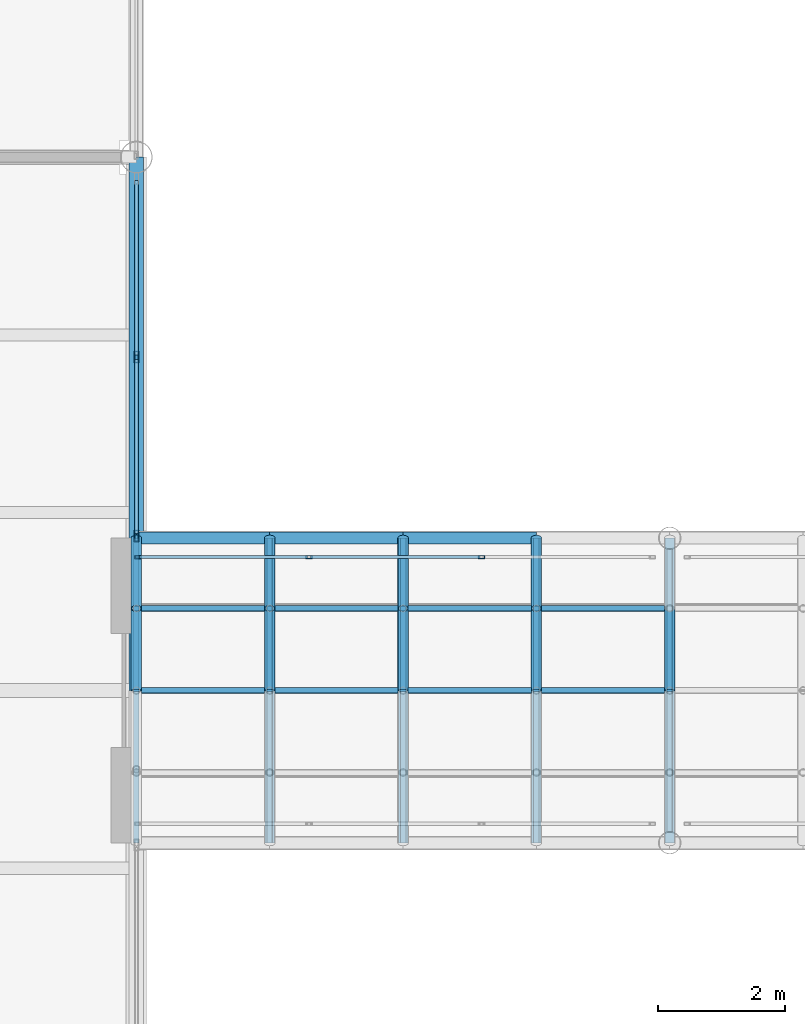
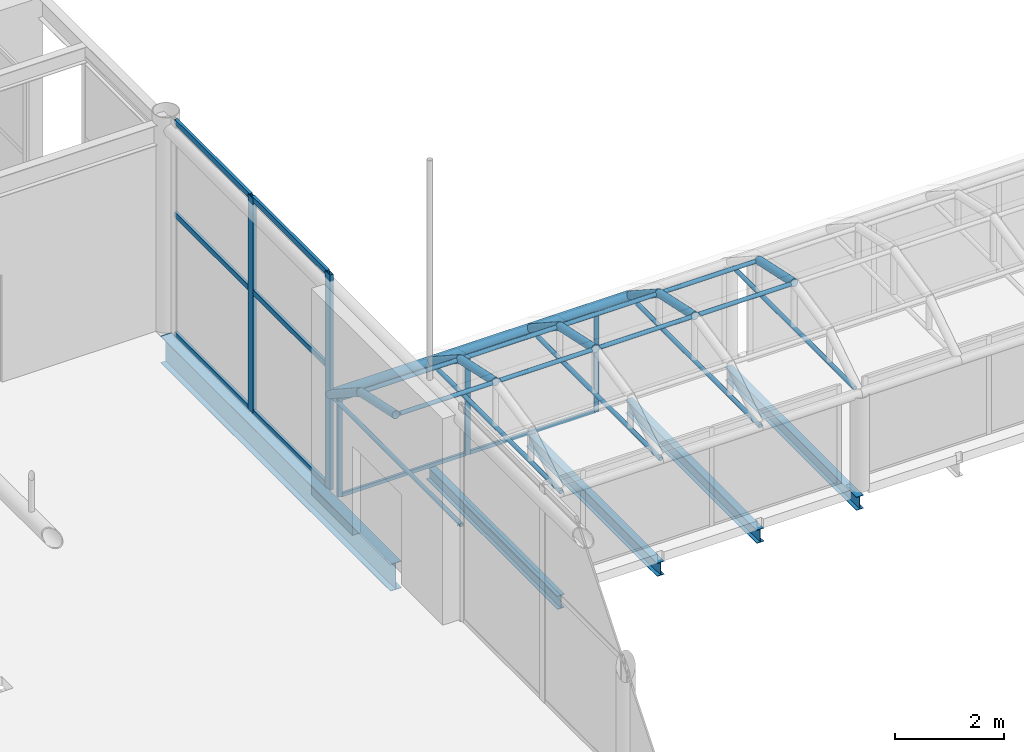
# One storey, part 94 of 167: 35 members, 10 beams, 2 elements without a shape of their own.
"""IFC4 building model written with IfcOpenShell, lengths in metres."""

from ifc_helpers import new_model, si_unit, direction, frame, origin, origin_2d, place, context, subcontext, project, spatial, hollow_rectangle, hollow_circle, i_section, extrude, material, material_profile, profile_set, type_object, element, aggregate, save


model = new_model("IFC4")

# Units and contexts
model_context = context("Model", 3, precision=1e-05, world=origin(), true_north=direction((0.0, 1.0)))
body_context = subcontext(model_context, "Body", "Model", "MODEL_VIEW")
ifc_project = project(units=[si_unit("LENGTHUNIT", "METRE"), si_unit("AREAUNIT", "SQUARE_METRE"), si_unit("VOLUMEUNIT", "CUBIC_METRE"), si_unit("PLANEANGLEUNIT", "RADIAN"), si_unit("MASSUNIT", "GRAM", prefix="KILO")], contexts=[model_context])

# Site, building, storey
site_placement = place(None, origin())
site = spatial("IfcSite", under=ifc_project, at=site_placement, CompositionType="ELEMENT")
building_placement = place(site_placement, origin())
building = spatial("IfcBuilding", under=site, at=building_placement, Name="Catenary Quay Ferry Terminal", CompositionType="ELEMENT")
storey_placement = place(building_placement, frame((0.0, 0.0, 6.0)))
storey = spatial("IfcBuildingStorey", under=building, at=storey_placement, Name="L01", CompositionType="ELEMENT", Elevation=6.0)

# Beams
ifc_material_1 = material(Name="Steel S355", Category="steel")
ifc_material_profile_1 = material_profile(ifc_material_1, i_section(OverallWidth=0.14990234375, OverallDepth=0.300048828125, WebThickness=0.007080078125, FlangeThickness=0.0107421875, at=origin_2d()), Name="IPE 300")
ifc_profile_set_1 = profile_set([ifc_material_profile_1], Name="Steel S355")
beam_type_1 = type_object("IfcBeamType", Name="B2 IPE 300", PredefinedType="BEAM", material=ifc_profile_set_1)
for number, where, z_axis, x_axis, name in (
    (1, (94.5, 90.0, -0.35009765625), (0.0, 1.0, 0.0), (-1.0, 0.0, 0.0), "Beam B2-016"),
    (2, (96.60009765625, 90.0, -0.35009765625), (0.0, 1.0, 0.0), (-1.0, 0.0, 0.0), "Beam B2-017"),
    (3, (98.699951171875, 90.0, -0.35009765625), (0.0, 1.0, 0.0), (-1.0, 0.0, 0.0), "Beam B2-018"),
    (4, (100.800048828125, 90.0, -0.35009765625), (0.0, 1.0, 0.0), (-1.0, 0.0, 0.0), "Beam B2-019"),
):
    element("IfcBeam", number, at=place(storey_placement, frame(where, z_axis=z_axis, x_axis=x_axis)), inside=storey, type_object=beam_type_1, Name=name, PredefinedType="BEAM", context=body_context, shape_type="SweptSolid", body=[
        extrude(i_section(OverallWidth=0.14990234375, OverallDepth=0.300048828125, WebThickness=0.007080078125, FlangeThickness=0.0107421875, at=origin_2d()), origin(), (0.0, 0.0, 1.0), 4.800048828125),
    ])
ifc_material_2 = material(Name="Steel S355", Category="steel")
ifc_material_profile_2 = material_profile(ifc_material_2, i_section(OverallWidth=0.2275390625, OverallDepth=0.6025390625, WebThickness=0.010498046875, FlangeThickness=0.014892578125, at=origin_2d()), Name="UB 610x229x101")
ifc_profile_set_2 = profile_set([ifc_material_profile_2], Name="Steel S355")
beam_type_2 = type_object("IfcBeamType", Name="B3 UB 610x229x101", PredefinedType="BEAM", material=ifc_profile_set_2)
beam_1_placement = place(storey_placement, frame((92.39990234375, 92.39990234375, -0.5009765625), z_axis=(0.0, 1.0, 0.0), x_axis=(-1.0, 0.0, 0.0)))
element("IfcBeam", 5, at=beam_1_placement, inside=storey, type_object=beam_type_2, Name="Beam B3-048", PredefinedType="BEAM", context=body_context, shape_type="SweptSolid", body=[
    extrude(i_section(OverallWidth=0.2275390625, OverallDepth=0.6025390625, WebThickness=0.010498046875, FlangeThickness=0.014892578125, at=origin_2d()), origin(), (0.0, 0.0, 1.0), 8.400146484375),
])

# Curtain wall, members
ifc_material_3 = material(Name="Aluminium and glass", Category="aluminium")
curtain_wall_type_1 = type_object("IfcCurtainWallType", Name="CWB", PredefinedType="NOTDEFINED", material=ifc_material_3)
curtain_wall_1_placement = place(storey_placement, origin())
curtain_wall_1 = element("IfcCurtainWall", 6, at=curtain_wall_1_placement, inside=storey, type_object=curtain_wall_type_1, Name="BB2 curtain wall CW68", PredefinedType="NOTDEFINED")
ifc_material_4 = material(Name="Aluminium", Category="aluminium")
ifc_material_profile_3 = material_profile(ifc_material_4, hollow_rectangle(XDim=0.050048828125, YDim=0.10009765625, WallThickness=0.0048828125, at=origin_2d()), Name="MU1")
ifc_profile_set_3 = profile_set([ifc_material_profile_3], Name="Aluminium")
member_type_1 = type_object("IfcMemberType", Name="MU1", PredefinedType="MULLION", material=ifc_profile_set_3)
member_1_placement = place(storey_placement, frame((92.425048828125, 94.5, 0.0), z_axis=(0.0, 0.0, 1.0), x_axis=(0.0, 1.0, 0.0)))
member_1 = element("IfcMember", 7, at=member_1_placement, type_object=member_type_1, Name="CW68 mullion 1", PredefinedType="MULLION", context=body_context, shape_type="SweptSolid", body=[
    extrude(hollow_rectangle(XDim=0.050048828125, YDim=0.10009765625, WallThickness=0.0048828125, at=origin_2d()), origin(), (0.0, 0.0, 1.0), 2.195068359375),
])
member_2_placement = place(storey_placement, frame((95.11669921875, 94.5, 0.0), z_axis=(0.0, 0.0, 1.0), x_axis=(0.0, 1.0, 0.0)))
member_2 = element("IfcMember", 8, at=member_2_placement, type_object=member_type_1, Name="CW68 mullion 2", PredefinedType="MULLION", context=body_context, shape_type="SweptSolid", body=[
    extrude(hollow_rectangle(XDim=0.050048828125, YDim=0.10009765625, WallThickness=0.0048828125, at=origin_2d()), origin(), (0.0, 0.0, 1.0), 2.195068359375),
])
member_3_placement = place(storey_placement, frame((97.833251953125, 94.5, 0.0), z_axis=(0.0, 0.0, 1.0), x_axis=(0.0, 1.0, 0.0)))
member_3 = element("IfcMember", 9, at=member_3_placement, type_object=member_type_1, Name="CW68 mullion 3", PredefinedType="MULLION", context=body_context, shape_type="SweptSolid", body=[
    extrude(hollow_rectangle(XDim=0.050048828125, YDim=0.10009765625, WallThickness=0.0048828125, at=origin_2d()), origin(), (0.0, 0.0, 1.0), 2.195068359375),
])

ifc_material_5 = material(Name="Aluminium and glass", Category="aluminium")
curtain_wall_type_2 = type_object("IfcCurtainWallType", Name="CWM", PredefinedType="NOTDEFINED", material=ifc_material_5)
curtain_wall_2_placement = place(storey_placement, origin())
curtain_wall_2 = element("IfcCurtainWall", 10, at=curtain_wall_2_placement, inside=storey, type_object=curtain_wall_type_2, Name="Gable arrivals hall curtain wall CW11", PredefinedType="NOTDEFINED")
ifc_material_6 = material(Name="Aluminium", Category="aluminium")
ifc_material_profile_4 = material_profile(ifc_material_6, hollow_rectangle(XDim=0.070068359375, YDim=0.179931640625, WallThickness=0.006103515625, at=origin_2d()), Name="MU3")
ifc_profile_set_4 = profile_set([ifc_material_profile_4], Name="Aluminium")
member_type_2 = type_object("IfcMemberType", Name="MU3", PredefinedType="MULLION", material=ifc_profile_set_4)
member_4_placement = place(storey_placement, frame((92.39990234375, 94.8349609375, 0.0), z_axis=(0.0, 0.0, 1.0), x_axis=(-1.0, 0.0, 0.0)))
member_4 = element("IfcMember", 11, at=member_4_placement, type_object=member_type_2, Name="CW11 mullion 1", PredefinedType="MULLION", context=body_context, shape_type="SweptSolid", body=[
    extrude(hollow_rectangle(XDim=0.070068359375, YDim=0.179931640625, WallThickness=0.006103515625, at=origin_2d()), origin(), (0.0, 0.0, 1.0), 4.800048828125),
])
member_5_placement = place(storey_placement, frame((92.39990234375, 97.64990234375, 0.0), z_axis=(0.0, 0.0, 1.0), x_axis=(-1.0, 0.0, 0.0)))
member_5 = element("IfcMember", 12, at=member_5_placement, type_object=member_type_2, Name="CW11 mullion 2", PredefinedType="MULLION", context=body_context, shape_type="SweptSolid", body=[
    extrude(hollow_rectangle(XDim=0.070068359375, YDim=0.179931640625, WallThickness=0.006103515625, at=origin_2d()), origin(), (0.0, 0.0, 1.0), 4.800048828125),
])

# Members
ifc_material_7 = material(Name="Steel S355", Category="steel")
ifc_material_profile_5 = material_profile(ifc_material_7, hollow_circle(Radius=0.04443359375, WallThickness=0.0048828125, at=origin_2d()), Name="CHS 88.9x5")
ifc_profile_set_5 = profile_set([ifc_material_profile_5], Name="Steel S355")
member_type_3 = type_object("IfcMemberType", Name="PU3 CHS 88.9x5", PredefinedType="PURLIN", material=ifc_profile_set_5)
for number, where, z_axis, x_axis, name in (
    (13, (92.47998046875, 92.39990234375, 3.10009765625), (1.0, 0.0, 0.0), (0.0, 1.0, 0.0), "Purlin PU-RB2-01-02"),
    (14, (92.47998046875, 93.69189453125, 2.821044921875), (1.0, 0.0, 0.0), (0.0, 1.0, 0.0), "Purlin PU-RB2-01-03"),
    (15, (94.580078125, 92.39990234375, 3.10009765625), (1.0, 0.0, 0.0), (0.0, 1.0, 0.0), "Purlin PU-RB2-02-02"),
    (16, (94.580078125, 93.69189453125, 2.821044921875), (1.0, 0.0, 0.0), (0.0, 1.0, 0.0), "Purlin PU-RB2-02-03"),
):
    element("IfcMember", number, at=place(storey_placement, frame(where, z_axis=z_axis, x_axis=x_axis)), inside=storey, type_object=member_type_3, Name=name, PredefinedType="PURLIN", context=body_context, shape_type="SweptSolid", body=[
        extrude(hollow_circle(Radius=0.04443359375, WallThickness=0.0048828125, at=origin_2d()), origin(), (0.0, 0.0, 1.0), 1.93994140625),
    ])
for number, where, z_axis, x_axis, name in (
    (17, (96.679931640625, 92.39990234375, 3.10009765625), (1.0, 0.0, 0.0), (0.0, 1.0, 0.0), "Purlin PU-RB2-03-02"),
    (18, (96.679931640625, 93.69189453125, 2.821044921875), (1.0, 0.0, 0.0), (0.0, 1.0, 0.0), "Purlin PU-RB2-03-03"),
):
    element("IfcMember", number, at=place(storey_placement, frame(where, z_axis=z_axis, x_axis=x_axis)), inside=storey, type_object=member_type_3, Name=name, PredefinedType="PURLIN", context=body_context, shape_type="SweptSolid", body=[
        extrude(hollow_circle(Radius=0.04443359375, WallThickness=0.0048828125, at=origin_2d()), origin(), (0.0, 0.0, 1.0), 1.940185546875),
    ])
for number, where, z_axis, x_axis, name in (
    (19, (98.780029296875, 92.39990234375, 3.10009765625), (1.0, 0.0, 0.0), (0.0, 1.0, 0.0), "Purlin PU-RB2-04-02"),
    (20, (98.780029296875, 93.69189453125, 2.821044921875), (1.0, 0.0, 0.0), (0.0, 1.0, 0.0), "Purlin PU-RB2-04-03"),
):
    element("IfcMember", number, at=place(storey_placement, frame(where, z_axis=z_axis, x_axis=x_axis)), inside=storey, type_object=member_type_3, Name=name, PredefinedType="PURLIN", context=body_context, shape_type="SweptSolid", body=[
        extrude(hollow_circle(Radius=0.04443359375, WallThickness=0.0048828125, at=origin_2d()), origin(), (0.0, 0.0, 1.0), 1.93994140625),
    ])

# Beams
ifc_material_8 = material(Name="Steel S355", Category="steel")
ifc_material_profile_6 = material_profile(ifc_material_8, hollow_circle(Radius=0.04443359375, WallThickness=0.0048828125, at=origin_2d()), Name="CHS 88.9x5")
ifc_profile_set_6 = profile_set([ifc_material_profile_6], Name="Steel S355")
beam_type_3 = type_object("IfcBeamType", Name="TB4 CHS 88.9x5", PredefinedType="BEAM", material=ifc_profile_set_6)
for number, where, z_axis, x_axis, name in (
    (21, (92.39990234375, 90.0, 2.10009765625), (0.0, 1.0, 0.0), (-1.0, 0.0, 0.0), "tie beam RB2-01"),
    (22, (94.5, 90.0, 2.10009765625), (0.0, 1.0, 0.0), (-1.0, 0.0, 0.0), "tie beam RB2-02"),
    (23, (96.60009765625, 90.0, 2.10009765625), (0.0, 1.0, 0.0), (-1.0, 0.0, 0.0), "tie beam RB2-03"),
    (24, (98.699951171875, 90.0, 2.10009765625), (0.0, 1.0, 0.0), (-1.0, 0.0, 0.0), "tie beam RB2-04"),
):
    element("IfcBeam", number, at=place(storey_placement, frame(where, z_axis=z_axis, x_axis=x_axis)), inside=storey, type_object=beam_type_3, Name=name, PredefinedType="BEAM", context=body_context, shape_type="SweptSolid", body=[
        extrude(hollow_circle(Radius=0.04443359375, WallThickness=0.0048828125, at=origin_2d()), origin(), (0.0, 0.0, 1.0), 4.800048828125),
    ])
beam_2_placement = place(storey_placement, frame((100.800048828125, 90.172119140625, 2.10009765625), z_axis=(0.0, 1.0, 0.0), x_axis=(-1.0, 0.0, 0.0)))
element("IfcBeam", 25, at=beam_2_placement, inside=storey, type_object=beam_type_3, Name="tie beam RB2-05", PredefinedType="BEAM", context=body_context, shape_type="SweptSolid", body=[
    extrude(hollow_circle(Radius=0.04443359375, WallThickness=0.0048828125, at=origin_2d()), origin(), (0.0, 0.0, 1.0), 4.455810546875),
])

# Members
ifc_material_9 = material(Name="Steel S355", Category="steel")
ifc_material_profile_7 = material_profile(ifc_material_9, hollow_circle(Radius=0.096923828125, WallThickness=0.010009765625, at=origin_2d()), Name="CHS 193.7x10")
ifc_profile_set_7 = profile_set([ifc_material_profile_7], Name="Steel S355")
member_type_4 = type_object("IfcMemberType", Name="TC2 CHS 193.7x10", PredefinedType="CHORD", material=ifc_profile_set_7)
for number, where, z_axis, x_axis, name in (
    (26, (92.39990234375, 94.800048828125, 2.10009765625), (1.0, 0.0, 0.0), (0.0, 1.0, 0.0), "Bridge top chord BB2N-TC01"),
    (27, (94.5, 94.800048828125, 2.10009765625), (1.0, 0.0, 0.0), (0.0, 1.0, 0.0), "Bridge top chord BB2N-TC02"),
):
    element("IfcMember", number, at=place(storey_placement, frame(where, z_axis=z_axis, x_axis=x_axis)), inside=storey, type_object=member_type_4, Name=name, PredefinedType="CHORD", context=body_context, shape_type="SweptSolid", body=[
        extrude(hollow_circle(Radius=0.096923828125, WallThickness=0.010009765625, at=origin_2d()), origin(), (0.0, 0.0, 1.0), 2.10009765625),
    ])
member_6_placement = place(storey_placement, frame((96.60009765625, 94.800048828125, 2.10009765625), z_axis=(1.0, 0.0, 0.0), x_axis=(0.0, 1.0, 0.0)))
element("IfcMember", 28, at=member_6_placement, inside=storey, type_object=member_type_4, Name="Bridge top chord BB2N-TC03", PredefinedType="CHORD", context=body_context, shape_type="SweptSolid", body=[
    extrude(hollow_circle(Radius=0.096923828125, WallThickness=0.010009765625, at=origin_2d()), origin(), (0.0, 0.0, 1.0), 2.099853515625),
])

# Member
ifc_material_10 = material(Name="Aluminium", Category="aluminium")
ifc_material_profile_8 = material_profile(ifc_material_10, hollow_rectangle(XDim=0.050048828125, YDim=0.080078125, WallThickness=0.00390625, at=origin_2d()), Name="TR1")
ifc_profile_set_8 = profile_set([ifc_material_profile_8], Name="Aluminium")
member_type_5 = type_object("IfcMemberType", Name="TR1", PredefinedType="USERDEFINED", material=ifc_profile_set_8)
member_7_placement = place(storey_placement, frame((92.449951171875, 94.5, 0.02490234375), z_axis=(1.0, 0.0, 0.0), x_axis=(0.0, 1.0, 0.0)))
member_7 = element("IfcMember", 29, at=member_7_placement, type_object=member_type_5, Name="CW68 transom 1.1", ObjectType="TRANSOM", PredefinedType="USERDEFINED", context=body_context, shape_type="SweptSolid", body=[
    extrude(hollow_rectangle(XDim=0.050048828125, YDim=0.080078125, WallThickness=0.00390625, at=origin_2d()), origin(), (0.0, 0.0, 1.0), 2.6416015625),
])

member_8_placement = place(storey_placement, frame((92.449951171875, 94.5, 2.169921875), z_axis=(1.0, 0.0, 0.0), x_axis=(0.0, 1.0, 0.0)))
member_8 = element("IfcMember", 30, at=member_8_placement, type_object=member_type_5, Name="CW68 transom 1.2", ObjectType="TRANSOM", PredefinedType="USERDEFINED", context=body_context, shape_type="SweptSolid", body=[
    extrude(hollow_rectangle(XDim=0.050048828125, YDim=0.080078125, WallThickness=0.00390625, at=origin_2d()), origin(), (0.0, 0.0, 1.0), 2.6416015625),
])

member_9_placement = place(storey_placement, frame((95.1416015625, 94.5, 0.02490234375), z_axis=(1.0, 0.0, 0.0), x_axis=(0.0, 1.0, 0.0)))
member_9 = element("IfcMember", 31, at=member_9_placement, type_object=member_type_5, Name="CW68 transom 2.1", ObjectType="TRANSOM", PredefinedType="USERDEFINED", context=body_context, shape_type="SweptSolid", body=[
    extrude(hollow_rectangle(XDim=0.050048828125, YDim=0.080078125, WallThickness=0.00390625, at=origin_2d()), origin(), (0.0, 0.0, 1.0), 2.666748046875),
])

member_10_placement = place(storey_placement, frame((95.1416015625, 94.5, 2.169921875), z_axis=(1.0, 0.0, 0.0), x_axis=(0.0, 1.0, 0.0)))
member_10 = element("IfcMember", 32, at=member_10_placement, type_object=member_type_5, Name="CW68 transom 2.2", ObjectType="TRANSOM", PredefinedType="USERDEFINED", context=body_context, shape_type="SweptSolid", body=[
    extrude(hollow_rectangle(XDim=0.050048828125, YDim=0.080078125, WallThickness=0.00390625, at=origin_2d()), origin(), (0.0, 0.0, 1.0), 2.666748046875),
])

aggregate(curtain_wall_1, [member_1, member_2, member_3, member_7, member_8, member_9, member_10])

ifc_material_11 = material(Name="Aluminium", Category="aluminium")
ifc_material_profile_9 = material_profile(ifc_material_11, hollow_rectangle(XDim=0.06005859375, YDim=0.1201171875, WallThickness=0.0048828125, at=origin_2d()), Name="TR3")
ifc_profile_set_9 = profile_set([ifc_material_profile_9], Name="Aluminium")
member_type_6 = type_object("IfcMemberType", Name="TR3", PredefinedType="USERDEFINED", material=ifc_profile_set_9)
member_11_placement = place(storey_placement, frame((92.39990234375, 94.8701171875, 0.030029296875), z_axis=(0.0, 1.0, 0.0), x_axis=(-1.0, 0.0, 0.0)))
member_11 = element("IfcMember", 33, at=member_11_placement, type_object=member_type_6, Name="CW11 transom 1.1", ObjectType="TRANSOM", PredefinedType="USERDEFINED", context=body_context, shape_type="SweptSolid", body=[
    extrude(hollow_rectangle(XDim=0.06005859375, YDim=0.1201171875, WallThickness=0.0048828125, at=origin_2d()), origin(), (0.0, 0.0, 1.0), 2.744873046875),
])

member_12_placement = place(storey_placement, frame((92.39990234375, 94.8701171875, 2.699951171875), z_axis=(0.0, 1.0, 0.0), x_axis=(-1.0, 0.0, 0.0)))
member_12 = element("IfcMember", 34, at=member_12_placement, type_object=member_type_6, Name="CW11 transom 1.2", ObjectType="TRANSOM", PredefinedType="USERDEFINED", context=body_context, shape_type="SweptSolid", body=[
    extrude(hollow_rectangle(XDim=0.06005859375, YDim=0.1201171875, WallThickness=0.0048828125, at=origin_2d()), origin(), (0.0, 0.0, 1.0), 2.744873046875),
])

member_13_placement = place(storey_placement, frame((92.39990234375, 94.8701171875, 4.77001953125), z_axis=(0.0, 1.0, 0.0), x_axis=(-1.0, 0.0, 0.0)))
member_13 = element("IfcMember", 35, at=member_13_placement, type_object=member_type_6, Name="CW11 transom 1.3", ObjectType="TRANSOM", PredefinedType="USERDEFINED", context=body_context, shape_type="SweptSolid", body=[
    extrude(hollow_rectangle(XDim=0.06005859375, YDim=0.1201171875, WallThickness=0.0048828125, at=origin_2d()), origin(), (0.0, 0.0, 1.0), 2.744873046875),
])

member_14_placement = place(storey_placement, frame((92.39990234375, 97.68505859375, 0.030029296875), z_axis=(0.0, 1.0, 0.0), x_axis=(-1.0, 0.0, 0.0)))
member_14 = element("IfcMember", 36, at=member_14_placement, type_object=member_type_6, Name="CW11 transom 2.1", ObjectType="TRANSOM", PredefinedType="USERDEFINED", context=body_context, shape_type="SweptSolid", body=[
    extrude(hollow_rectangle(XDim=0.06005859375, YDim=0.1201171875, WallThickness=0.0048828125, at=origin_2d()), origin(), (0.0, 0.0, 1.0), 2.744873046875),
])

member_15_placement = place(storey_placement, frame((92.39990234375, 97.68505859375, 2.699951171875), z_axis=(0.0, 1.0, 0.0), x_axis=(-1.0, 0.0, 0.0)))
member_15 = element("IfcMember", 37, at=member_15_placement, type_object=member_type_6, Name="CW11 transom 2.2", ObjectType="TRANSOM", PredefinedType="USERDEFINED", context=body_context, shape_type="SweptSolid", body=[
    extrude(hollow_rectangle(XDim=0.06005859375, YDim=0.1201171875, WallThickness=0.0048828125, at=origin_2d()), origin(), (0.0, 0.0, 1.0), 2.744873046875),
])

member_16_placement = place(storey_placement, frame((92.39990234375, 97.68505859375, 4.77001953125), z_axis=(0.0, 1.0, 0.0), x_axis=(-1.0, 0.0, 0.0)))
member_16 = element("IfcMember", 38, at=member_16_placement, type_object=member_type_6, Name="CW11 transom 2.3", ObjectType="TRANSOM", PredefinedType="USERDEFINED", context=body_context, shape_type="SweptSolid", body=[
    extrude(hollow_rectangle(XDim=0.06005859375, YDim=0.1201171875, WallThickness=0.0048828125, at=origin_2d()), origin(), (0.0, 0.0, 1.0), 2.744873046875),
])

aggregate(curtain_wall_2, [member_4, member_5, member_11, member_12, member_13, member_14, member_15, member_16])

# Members
ifc_material_12 = material(Name="Steel S355", Category="steel")
ifc_material_profile_10 = material_profile(ifc_material_12, hollow_circle(Radius=0.084228515625, WallThickness=0.008056640625, at=origin_2d()), Name="CHS 168.3x8")
ifc_profile_set_10 = profile_set([ifc_material_profile_10], Name="Steel S355")
member_type_7 = type_object("IfcMemberType", Name="VR4 CHS 168.3x8", PredefinedType="RAFTER", material=ifc_profile_set_10)
member_17_placement = place(storey_placement, frame((92.39990234375, 92.39990234375, 3.10009765625), z_axis=(0.0, 0.977460543774, -0.211118178672), x_axis=(-1.0, 0.0, 0.0)))
element("IfcMember", 39, at=member_17_placement, inside=storey, type_object=member_type_7, Name="rib RB2-01-03", PredefinedType="RAFTER", context=body_context, shape_type="SweptSolid", body=[
    extrude(hollow_circle(Radius=0.084228515625, WallThickness=0.008056640625, at=origin_2d()), origin(), (0.0, 0.0, 1.0), 1.32177734375),
])
member_18_placement = place(storey_placement, frame((92.39990234375, 93.69189453125, 2.821044921875), z_axis=(0.0, 0.838219928753, -0.545332330823), x_axis=(-1.0, 0.0, 0.0)))
element("IfcMember", 40, at=member_18_placement, inside=storey, type_object=member_type_7, Name="rib RB2-01-04", PredefinedType="RAFTER", context=body_context, shape_type="SweptSolid", body=[
    extrude(hollow_circle(Radius=0.084228515625, WallThickness=0.008056640625, at=origin_2d()), origin(), (0.0, 0.0, 1.0), 1.322021484375),
])
member_19_placement = place(storey_placement, frame((94.5, 92.39990234375, 3.10009765625), z_axis=(0.0, 0.977460543774, -0.211118178672), x_axis=(-1.0, 0.0, 0.0)))
element("IfcMember", 41, at=member_19_placement, inside=storey, type_object=member_type_7, Name="rib RB2-02-03", PredefinedType="RAFTER", context=body_context, shape_type="SweptSolid", body=[
    extrude(hollow_circle(Radius=0.084228515625, WallThickness=0.008056640625, at=origin_2d()), origin(), (0.0, 0.0, 1.0), 1.32177734375),
])
member_20_placement = place(storey_placement, frame((94.5, 93.69189453125, 2.821044921875), z_axis=(0.0, 0.838219928753, -0.545332330823), x_axis=(-1.0, 0.0, 0.0)))
element("IfcMember", 42, at=member_20_placement, inside=storey, type_object=member_type_7, Name="rib RB2-02-04", PredefinedType="RAFTER", context=body_context, shape_type="SweptSolid", body=[
    extrude(hollow_circle(Radius=0.084228515625, WallThickness=0.008056640625, at=origin_2d()), origin(), (0.0, 0.0, 1.0), 1.322021484375),
])
member_21_placement = place(storey_placement, frame((96.60009765625, 92.39990234375, 3.10009765625), z_axis=(0.0, 0.977460543774, -0.211118178672), x_axis=(-1.0, 0.0, 0.0)))
element("IfcMember", 43, at=member_21_placement, inside=storey, type_object=member_type_7, Name="rib RB2-03-03", PredefinedType="RAFTER", context=body_context, shape_type="SweptSolid", body=[
    extrude(hollow_circle(Radius=0.084228515625, WallThickness=0.008056640625, at=origin_2d()), origin(), (0.0, 0.0, 1.0), 1.32177734375),
])
member_22_placement = place(storey_placement, frame((96.60009765625, 93.69189453125, 2.821044921875), z_axis=(0.0, 0.838219928753, -0.545332330823), x_axis=(-1.0, 0.0, 0.0)))
element("IfcMember", 44, at=member_22_placement, inside=storey, type_object=member_type_7, Name="rib RB2-03-04", PredefinedType="RAFTER", context=body_context, shape_type="SweptSolid", body=[
    extrude(hollow_circle(Radius=0.084228515625, WallThickness=0.008056640625, at=origin_2d()), origin(), (0.0, 0.0, 1.0), 1.322021484375),
])
member_23_placement = place(storey_placement, frame((98.699951171875, 92.39990234375, 3.10009765625), z_axis=(0.0, 0.977460543774, -0.211118178672), x_axis=(-1.0, 0.0, 0.0)))
element("IfcMember", 45, at=member_23_placement, inside=storey, type_object=member_type_7, Name="rib RB2-04-03", PredefinedType="RAFTER", context=body_context, shape_type="SweptSolid", body=[
    extrude(hollow_circle(Radius=0.084228515625, WallThickness=0.008056640625, at=origin_2d()), origin(), (0.0, 0.0, 1.0), 1.32177734375),
])
member_24_placement = place(storey_placement, frame((98.699951171875, 93.69189453125, 2.821044921875), z_axis=(0.0, 0.838219928753, -0.545332330823), x_axis=(-1.0, 0.0, 0.0)))
element("IfcMember", 46, at=member_24_placement, inside=storey, type_object=member_type_7, Name="rib RB2-04-04", PredefinedType="RAFTER", context=body_context, shape_type="SweptSolid", body=[
    extrude(hollow_circle(Radius=0.084228515625, WallThickness=0.008056640625, at=origin_2d()), origin(), (0.0, 0.0, 1.0), 1.322021484375),
])
member_25_placement = place(storey_placement, frame((100.800048828125, 92.39990234375, 3.10009765625), z_axis=(0.0, 0.977460543774, -0.211118178672), x_axis=(-1.0, 0.0, 0.0)))
element("IfcMember", 47, at=member_25_placement, inside=storey, type_object=member_type_7, Name="rib RB2-05-03", PredefinedType="RAFTER", context=body_context, shape_type="SweptSolid", body=[
    extrude(hollow_circle(Radius=0.084228515625, WallThickness=0.008056640625, at=origin_2d()), origin(), (0.0, 0.0, 1.0), 1.32177734375),
])

save(model, "model.ifc")
